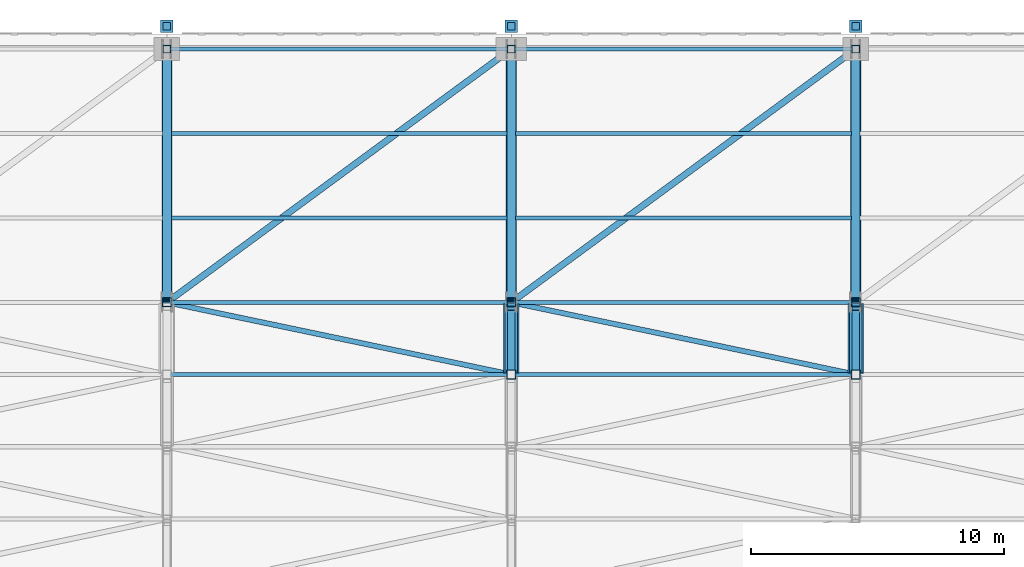
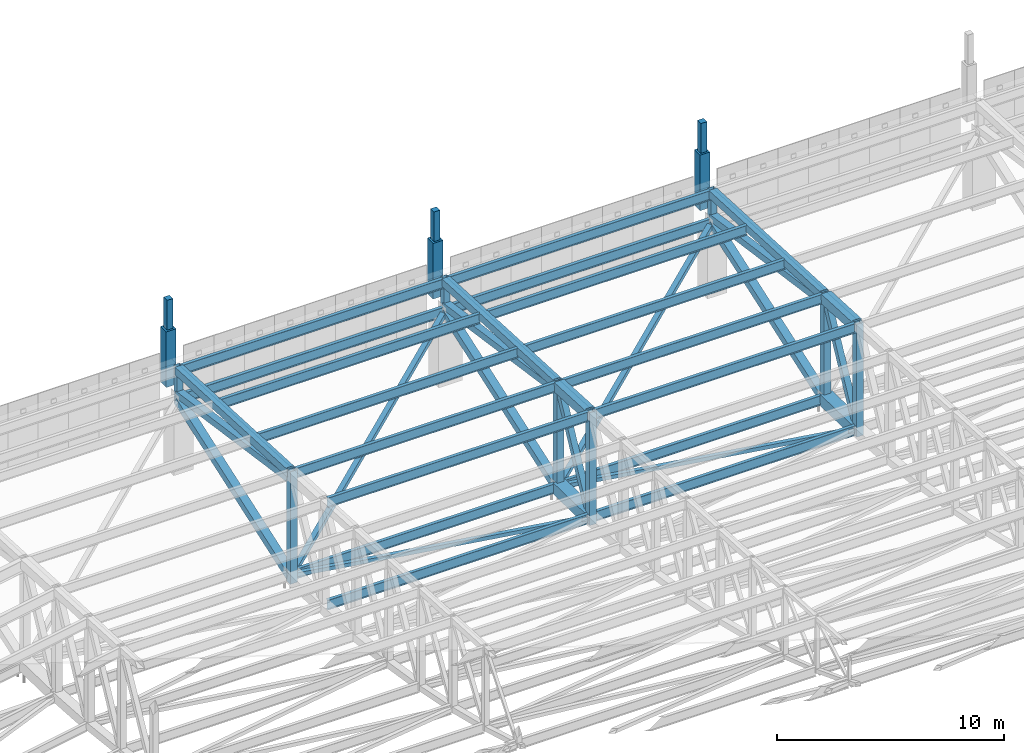
# One storey, part 91 of 278: 31 members, 18 beams.
"""IFC4 building model written with IfcOpenShell, lengths in metres."""

from ifc_helpers import new_model, si_unit, direction, frame, origin, origin_2d, place, context, subcontext, project, spatial, rectangle, hollow_rectangle, i_section, extrude, material, material_profile, profile_set, type_object, element, save


model = new_model("IFC4")

# Units and contexts
model_context = context("Model", 3, precision=1e-05, world=origin(), true_north=direction((0.0, 1.0)))
body_context = subcontext(model_context, "Body", "Model", "MODEL_VIEW")
ifc_project = project(units=[si_unit("LENGTHUNIT", "METRE"), si_unit("AREAUNIT", "SQUARE_METRE"), si_unit("VOLUMEUNIT", "CUBIC_METRE"), si_unit("PLANEANGLEUNIT", "RADIAN"), si_unit("MASSUNIT", "GRAM", prefix="KILO")], contexts=[model_context])

# Site, building, storey
site_placement = place(None, origin())
site = spatial("IfcSite", under=ifc_project, at=site_placement, CompositionType="ELEMENT")
building_placement = place(site_placement, origin())
building = spatial("IfcBuilding", under=site, at=building_placement, Name="Ogive Plaza Stadium", CompositionType="ELEMENT")
storey_placement = place(building_placement, frame((0.0, 0.0, 29.0)))
storey = spatial("IfcBuildingStorey", under=building, at=storey_placement, Name="Roof", CompositionType="ELEMENT", Elevation=29.0)

# Members
ifc_material_1 = material(Name="Concrete C45/55 precast", Category="concrete")
ifc_material_profile_1 = material_profile(ifc_material_1, rectangle(XDim=0.5, YDim=0.5, at=origin_2d()), Name="RC 500x500")
ifc_profile_set_1 = profile_set([ifc_material_profile_1], Name="Concrete C45/55 precast")
member_type_1 = type_object("IfcMemberType", Name="Precast pinnacle 500x500", PredefinedType="POST", material=ifc_profile_set_1)
for number, where, z_axis, x_axis, name in (
    (1, (-20.39990234375, 103.39990234375, 4.0), (0.0, 0.0, 1.0), (-1.0, 0.0, 0.0), "PINNACLE R33"),
    (2, (-6.800048828125, 103.39990234375, 4.0), (0.0, 0.0, 1.0), (-1.0, 0.0, 0.0), "PINNACLE R34"),
    (3, (6.800048828125, 103.39990234375, 4.0), (0.0, 0.0, 1.0), (-1.0, 0.0, 0.0), "PINNACLE R35"),
):
    element("IfcMember", number, at=place(storey_placement, frame(where, z_axis=z_axis, x_axis=x_axis)), inside=storey, type_object=member_type_1, Name=name, PredefinedType="POST", context=body_context, shape_type="SweptSolid", body=[
        extrude(rectangle(XDim=0.5, YDim=0.5, at=origin_2d()), origin(), (0.0, 0.0, 1.0), 3.0),
    ])
ifc_material_2 = material(Name="Concrete C45/55 precast", Category="concrete")
ifc_material_profile_2 = material_profile(ifc_material_2, rectangle(XDim=0.300048828125, YDim=0.300048828125, at=origin_2d()), Name="RC 300x300")
ifc_profile_set_2 = profile_set([ifc_material_profile_2], Name="Concrete C45/55 precast")
member_type_2 = type_object("IfcMemberType", Name="Precast spire 300x300", PredefinedType="MEMBER", material=ifc_profile_set_2)
for number, where, z_axis, x_axis, name in (
    (4, (-20.39990234375, 103.39990234375, 7.0), (0.0, 0.0, 1.0), (-1.0, 0.0, 0.0), "SPIRE R33"),
    (5, (-6.800048828125, 103.39990234375, 7.0), (0.0, 0.0, 1.0), (-1.0, 0.0, 0.0), "SPIRE R34"),
    (6, (6.800048828125, 103.39990234375, 7.0), (0.0, 0.0, 1.0), (-1.0, 0.0, 0.0), "SPIRE R35"),
):
    element("IfcMember", number, at=place(storey_placement, frame(where, z_axis=z_axis, x_axis=x_axis)), inside=storey, type_object=member_type_2, Name=name, PredefinedType="MEMBER", context=body_context, shape_type="SweptSolid", body=[
        extrude(rectangle(XDim=0.300048828125, YDim=0.300048828125, at=origin_2d()), origin(), (0.0, 0.0, 1.0), 1.60009765625),
    ])
ifc_material_3 = material(Name="Steel ASTM A500 Grade C", Category="steel")
ifc_material_profile_3 = material_profile(ifc_material_3, hollow_rectangle(XDim=0.25390625, YDim=0.25390625, WallThickness=0.0087890625, at=origin_2d()), Name="HSS10X10X3/8")
ifc_profile_set_3 = profile_set([ifc_material_profile_3], Name="Steel ASTM A500 Grade C")
member_type_3 = type_object("IfcMemberType", Name="Roof plan brace HSS10X10X3/8", PredefinedType="BRACE", material=ifc_profile_set_3)
member_1_placement = place(storey_placement, frame((-20.171142578125, 92.668212890625, 0.362060546875), z_axis=(0.789806515967, 0.580738793181, 0.197352784197), x_axis=(-0.592389594991, 0.805651641683, 0.0)))
element("IfcMember", 7, at=member_1_placement, inside=storey, type_object=member_type_3, Name="ROOF BRACE B33 11", PredefinedType="BRACE", context=body_context, shape_type="SweptSolid", body=[
    extrude(hollow_rectangle(XDim=0.25390625, YDim=0.25390625, WallThickness=0.0087890625, at=origin_2d()), origin(), (0.0, 0.0, 1.0), 16.672119140625),
])
member_2_placement = place(storey_placement, frame((-6.571044921875, 92.668212890625, 0.362060546875), z_axis=(0.789801006839, 0.580745509868, 0.197355066733), x_axis=(-0.592396724098, 0.805646399655, 0.0)))
element("IfcMember", 8, at=member_2_placement, inside=storey, type_object=member_type_3, Name="ROOF BRACE B34 11", PredefinedType="BRACE", context=body_context, shape_type="SweptSolid", body=[
    extrude(hollow_rectangle(XDim=0.25390625, YDim=0.25390625, WallThickness=0.0087890625, at=origin_2d()), origin(), (0.0, 0.0, 1.0), 16.671875),
])
ifc_material_4 = material(Name="Steel ASTM A500 Grade C", Category="steel")
ifc_material_profile_4 = material_profile(ifc_material_4, hollow_rectangle(XDim=0.203125, YDim=0.203125, WallThickness=0.0087890625, at=origin_2d()), Name="HSS8X8X3/8")
ifc_profile_set_4 = profile_set([ifc_material_profile_4], Name="Steel ASTM A500 Grade C")
member_type_4 = type_object("IfcMemberType", Name="Roof plan brace HSS8X8X3/8", PredefinedType="BRACE", material=ifc_profile_set_4)
member_3_placement = place(storey_placement, frame((-6.96923828125, 89.685546875, 0.3681640625), z_axis=(-0.978729937555, 0.205101030564, -0.004612656051), x_axis=(-0.205103212524, -0.978740349742, 0.0)))
element("IfcMember", 9, at=member_3_placement, inside=storey, type_object=member_type_4, Name="ROOF BRACE B33 10", PredefinedType="BRACE", context=body_context, shape_type="SweptSolid", body=[
    extrude(hollow_rectangle(XDim=0.203125, YDim=0.203125, WallThickness=0.0087890625, at=origin_2d()), origin(), (0.0, 0.0, 1.0), 13.549560546875),
])
member_4_placement = place(storey_placement, frame((6.630615234375, 89.685546875, 0.3681640625), z_axis=(-0.97872917919, 0.20510464757, -0.004612737396), x_axis=(-0.205106829646, -0.978739591736, 0.0)))
element("IfcMember", 10, at=member_4_placement, inside=storey, type_object=member_type_4, Name="ROOF BRACE B34 10", PredefinedType="BRACE", context=body_context, shape_type="SweptSolid", body=[
    extrude(hollow_rectangle(XDim=0.203125, YDim=0.203125, WallThickness=0.0087890625, at=origin_2d()), origin(), (0.0, 0.0, 1.0), 13.54931640625),
])
ifc_material_5 = material(Name="Steel ASTM A992 Grade 50", Category="steel")
ifc_material_profile_5 = material_profile(ifc_material_5, i_section(OverallWidth=0.1650390625, OverallDepth=0.524658203125, WebThickness=0.0087890625, FlangeThickness=0.011474609375, at=origin_2d()), Name="W21X44")
ifc_profile_set_5 = profile_set([ifc_material_profile_5], Name="Steel ASTM A992 Grade 50")
member_type_5 = type_object("IfcMemberType", Name="Roof plan strut W21X44", PredefinedType="STRUT", material=ifc_profile_set_5)
for number, where, z_axis, x_axis, name in (
    (11, (-20.252197265625, 89.64990234375, 0.369140625), (1.0, 0.0, 0.0), (0.0, 1.0, 0.0), "ROOF STRUT B33 9"),
    (12, (-20.252197265625, 92.5, 0.3046875), (1.0, 0.0, 0.0), (0.0, 1.0, 0.0), "ROOF STRUT B33 10"),
):
    element("IfcMember", number, at=place(storey_placement, frame(where, z_axis=z_axis, x_axis=x_axis)), inside=storey, type_object=member_type_5, Name=name, PredefinedType="STRUT", context=body_context, shape_type="SweptSolid", body=[
        extrude(i_section(OverallWidth=0.1650390625, OverallDepth=0.524658203125, WebThickness=0.0087890625, FlangeThickness=0.011474609375, at=origin_2d()), origin(), (0.0, 0.0, 1.0), 13.304443359375),
    ])
member_5_placement = place(storey_placement, frame((-20.277587890625, 102.5, 3.703125), z_axis=(1.0, 0.0, 0.0), x_axis=(0.0, 1.0, 0.0)))
element("IfcMember", 13, at=member_5_placement, inside=storey, type_object=member_type_5, Name="ROOF STRUT B33 11", PredefinedType="STRUT", context=body_context, shape_type="SweptSolid", body=[
    extrude(i_section(OverallWidth=0.1650390625, OverallDepth=0.524658203125, WebThickness=0.0087890625, FlangeThickness=0.011474609375, at=origin_2d()), origin(), (0.0, 0.0, 1.0), 13.355224609375),
])
for number, where, z_axis, x_axis, name in (
    (14, (-6.652099609375, 89.64990234375, 0.369140625), (1.0, 0.0, 0.0), (0.0, 1.0, 0.0), "ROOF STRUT B34 9"),
    (15, (-6.652099609375, 92.5, 0.3046875), (1.0, 0.0, 0.0), (0.0, 1.0, 0.0), "ROOF STRUT B34 10"),
):
    element("IfcMember", number, at=place(storey_placement, frame(where, z_axis=z_axis, x_axis=x_axis)), inside=storey, type_object=member_type_5, Name=name, PredefinedType="STRUT", context=body_context, shape_type="SweptSolid", body=[
        extrude(i_section(OverallWidth=0.1650390625, OverallDepth=0.524658203125, WebThickness=0.0087890625, FlangeThickness=0.011474609375, at=origin_2d()), origin(), (0.0, 0.0, 1.0), 13.30419921875),
    ])
member_6_placement = place(storey_placement, frame((-6.677490234375, 102.5, 3.703125), z_axis=(1.0, 0.0, 0.0), x_axis=(0.0, 1.0, 0.0)))
element("IfcMember", 16, at=member_6_placement, inside=storey, type_object=member_type_5, Name="ROOF STRUT B34 11", PredefinedType="STRUT", context=body_context, shape_type="SweptSolid", body=[
    extrude(i_section(OverallWidth=0.1650390625, OverallDepth=0.524658203125, WebThickness=0.0087890625, FlangeThickness=0.011474609375, at=origin_2d()), origin(), (0.0, 0.0, 1.0), 13.35498046875),
])
ifc_material_6 = material(Name="Steel ASTM A992 Grade 50", Category="steel")
ifc_material_profile_6 = material_profile(ifc_material_6, i_section(OverallWidth=0.1650390625, OverallDepth=0.524658203125, WebThickness=0.0087890625, FlangeThickness=0.011474609375, at=origin_2d()), Name="W21X44")
ifc_profile_set_6 = profile_set([ifc_material_profile_6], Name="Steel ASTM A992 Grade 50")
member_type_6 = type_object("IfcMemberType", Name="Roof purlin W21X44", PredefinedType="PURLIN", material=ifc_profile_set_6)
for number, where, z_axis, x_axis, name in (
    (17, (-20.252197265625, 89.64990234375, 5.880126953125), (1.0, 0.0, 0.0), (0.0, 1.0, 0.0), "ROOF PURLIN B33 9"),
    (18, (-20.252197265625, 92.5, 5.737548828125), (1.0, 0.0, 0.0), (0.0, 1.0, 0.0), "ROOF PURLIN B33 10"),
):
    element("IfcMember", number, at=place(storey_placement, frame(where, z_axis=z_axis, x_axis=x_axis)), inside=storey, type_object=member_type_6, Name=name, PredefinedType="PURLIN", context=body_context, shape_type="SweptSolid", body=[
        extrude(i_section(OverallWidth=0.1650390625, OverallDepth=0.524658203125, WebThickness=0.0087890625, FlangeThickness=0.011474609375, at=origin_2d()), origin(), (0.0, 0.0, 1.0), 13.304443359375),
    ])
for number, where, z_axis, x_axis, name in (
    (19, (-20.226806640625, 95.833251953125, 5.571044921875), (1.0, 0.0, 0.0), (0.0, 1.0, 0.0), "ROOF PURLIN B33 11"),
    (20, (-20.226806640625, 99.166748046875, 5.404296875), (1.0, 0.0, 0.0), (0.0, 1.0, 0.0), "ROOF PURLIN B33 12"),
):
    element("IfcMember", number, at=place(storey_placement, frame(where, z_axis=z_axis, x_axis=x_axis)), inside=storey, type_object=member_type_6, Name=name, PredefinedType="PURLIN", context=body_context, shape_type="SweptSolid", body=[
        extrude(i_section(OverallWidth=0.1650390625, OverallDepth=0.524658203125, WebThickness=0.0087890625, FlangeThickness=0.011474609375, at=origin_2d()), origin(), (0.0, 0.0, 1.0), 13.253662109375),
    ])
member_7_placement = place(storey_placement, frame((-20.277587890625, 102.5, 5.237548828125), z_axis=(1.0, 0.0, 0.0), x_axis=(0.0, 1.0, 0.0)))
element("IfcMember", 21, at=member_7_placement, inside=storey, type_object=member_type_6, Name="ROOF PURLIN B33 13", PredefinedType="PURLIN", context=body_context, shape_type="SweptSolid", body=[
    extrude(i_section(OverallWidth=0.1650390625, OverallDepth=0.524658203125, WebThickness=0.0087890625, FlangeThickness=0.011474609375, at=origin_2d()), origin(), (0.0, 0.0, 1.0), 13.355224609375),
])
for number, where, z_axis, x_axis, name in (
    (22, (-6.652099609375, 89.64990234375, 5.880126953125), (1.0, 0.0, 0.0), (0.0, 1.0, 0.0), "ROOF PURLIN B34 9"),
    (23, (-6.652099609375, 92.5, 5.737548828125), (1.0, 0.0, 0.0), (0.0, 1.0, 0.0), "ROOF PURLIN B34 10"),
):
    element("IfcMember", number, at=place(storey_placement, frame(where, z_axis=z_axis, x_axis=x_axis)), inside=storey, type_object=member_type_6, Name=name, PredefinedType="PURLIN", context=body_context, shape_type="SweptSolid", body=[
        extrude(i_section(OverallWidth=0.1650390625, OverallDepth=0.524658203125, WebThickness=0.0087890625, FlangeThickness=0.011474609375, at=origin_2d()), origin(), (0.0, 0.0, 1.0), 13.30419921875),
    ])
for number, where, z_axis, x_axis, name in (
    (24, (-6.626708984375, 95.833251953125, 5.571044921875), (1.0, 0.0, 0.0), (0.0, 1.0, 0.0), "ROOF PURLIN B34 11"),
    (25, (-6.626708984375, 99.166748046875, 5.404296875), (1.0, 0.0, 0.0), (0.0, 1.0, 0.0), "ROOF PURLIN B34 12"),
):
    element("IfcMember", number, at=place(storey_placement, frame(where, z_axis=z_axis, x_axis=x_axis)), inside=storey, type_object=member_type_6, Name=name, PredefinedType="PURLIN", context=body_context, shape_type="SweptSolid", body=[
        extrude(i_section(OverallWidth=0.1650390625, OverallDepth=0.524658203125, WebThickness=0.0087890625, FlangeThickness=0.011474609375, at=origin_2d()), origin(), (0.0, 0.0, 1.0), 13.25341796875),
    ])
member_8_placement = place(storey_placement, frame((-6.677490234375, 102.5, 5.237548828125), z_axis=(1.0, 0.0, 0.0), x_axis=(0.0, 1.0, 0.0)))
element("IfcMember", 26, at=member_8_placement, inside=storey, type_object=member_type_6, Name="ROOF PURLIN B34 13", PredefinedType="PURLIN", context=body_context, shape_type="SweptSolid", body=[
    extrude(i_section(OverallWidth=0.1650390625, OverallDepth=0.524658203125, WebThickness=0.0087890625, FlangeThickness=0.011474609375, at=origin_2d()), origin(), (0.0, 0.0, 1.0), 13.35498046875),
])

# Beams
ifc_material_7 = material(Name="Steel ASTM A500 Grade C", Category="steel")
ifc_material_profile_7 = material_profile(ifc_material_7, hollow_rectangle(XDim=0.406494140625, YDim=0.406494140625, WallThickness=0.0146484375, at=origin_2d()), Name="HSS16X16X5/8")
ifc_profile_set_7 = profile_set([ifc_material_profile_7], Name="Steel ASTM A500 Grade C")
beam_type_1 = type_object("IfcBeamType", Name="Roof truss back-span bottom chord HSS16X16X5/8", PredefinedType="BEAM", material=ifc_profile_set_7)
for number, where, z_axis, x_axis, name in (
    (27, (-20.39990234375, 92.550048828125, 0.232666015625), (0.0, 0.943851085966, 0.330371196567), (-1.0, 0.0, 0.0), "ROOF TRUSS T33 BOTTOM CHORD 11"),
    (28, (-6.800048828125, 92.550048828125, 0.232666015625), (0.0, 0.943851085966, 0.330371196567), (-1.0, 0.0, 0.0), "ROOF TRUSS T34 BOTTOM CHORD 11"),
    (29, (6.800048828125, 92.550048828125, 0.232666015625), (0.0, 0.943851085966, 0.330371196567), (-1.0, 0.0, 0.0), "ROOF TRUSS T35 BOTTOM CHORD 11"),
):
    element("IfcBeam", number, at=place(storey_placement, frame(where, z_axis=z_axis, x_axis=x_axis)), inside=storey, type_object=beam_type_1, Name=name, PredefinedType="BEAM", context=body_context, shape_type="SweptSolid", body=[
        extrude(hollow_rectangle(XDim=0.406494140625, YDim=0.406494140625, WallThickness=0.0146484375, at=origin_2d()), origin(), (0.0, 0.0, 1.0), 10.470703125),
    ])
ifc_material_8 = material(Name="Steel ASTM A500 Grade C", Category="steel")
ifc_material_profile_8 = material_profile(ifc_material_8, hollow_rectangle(XDim=0.406494140625, YDim=0.406494140625, WallThickness=0.0146484375, at=origin_2d()), Name="HSS16X16X5/8")
ifc_profile_set_8 = profile_set([ifc_material_profile_8], Name="Steel ASTM A500 Grade C")
beam_type_2 = type_object("IfcBeamType", Name="Roof truss back-span top chord HSS16X16X5/8", PredefinedType="BEAM", material=ifc_profile_set_8)
for number, where, z_axis, x_axis, name in (
    (30, (-20.39990234375, 92.550048828125, 5.7939453125), (0.0, 0.998752953021, -0.049925332571), (-1.0, 0.0, 0.0), "ROOF TRUSS T33 TOP CHORD 11"),
    (31, (-6.800048828125, 92.550048828125, 5.7939453125), (0.0, 0.998752953021, -0.049925332571), (-1.0, 0.0, 0.0), "ROOF TRUSS T34 TOP CHORD 11"),
    (32, (6.800048828125, 92.550048828125, 5.7939453125), (0.0, 0.998752953021, -0.049925332571), (-1.0, 0.0, 0.0), "ROOF TRUSS T35 TOP CHORD 11"),
):
    element("IfcBeam", number, at=place(storey_placement, frame(where, z_axis=z_axis, x_axis=x_axis)), inside=storey, type_object=beam_type_2, Name=name, PredefinedType="BEAM", context=body_context, shape_type="SweptSolid", body=[
        extrude(hollow_rectangle(XDim=0.406494140625, YDim=0.406494140625, WallThickness=0.0146484375, at=origin_2d()), origin(), (0.0, 0.0, 1.0), 9.912353515625),
    ])

# Members
ifc_material_9 = material(Name="Steel ASTM A500 Grade C", Category="steel")
ifc_material_profile_9 = material_profile(ifc_material_9, hollow_rectangle(XDim=0.355712890625, YDim=0.355712890625, WallThickness=0.0146484375, at=origin_2d()), Name="HSS14X14X5/8")
ifc_profile_set_9 = profile_set([ifc_material_profile_9], Name="Steel ASTM A500 Grade C")
member_type_7 = type_object("IfcMemberType", Name="Roof truss back-stay HSS14X14X5/8", PredefinedType="BRACE", material=ifc_profile_set_9)
for number, where, z_axis, x_axis, name in (
    (33, (-20.39990234375, 92.593017578125, 5.45654296875), (0.0, 0.989844100519, -0.142157154826), (-1.0, 0.0, 0.0), "BACK-STAY T33"),
    (34, (-6.800048828125, 92.593017578125, 5.45654296875), (0.0, 0.989844100519, -0.142157154826), (-1.0, 0.0, 0.0), "BACK-STAY T34"),
    (35, (6.800048828125, 92.593017578125, 5.45654296875), (0.0, 0.989844100519, -0.142157154826), (-1.0, 0.0, 0.0), "BACK-STAY T35"),
):
    element("IfcMember", number, at=place(storey_placement, frame(where, z_axis=z_axis, x_axis=x_axis)), inside=storey, type_object=member_type_7, Name=name, PredefinedType="BRACE", context=body_context, shape_type="SweptSolid", body=[
        extrude(hollow_rectangle(XDim=0.355712890625, YDim=0.355712890625, WallThickness=0.0146484375, at=origin_2d()), origin(), (0.0, 0.0, 1.0), 9.9404296875),
    ])

# Beams
ifc_material_10 = material(Name="Steel ASTM A500 Grade C", Category="steel")
ifc_material_profile_10 = material_profile(ifc_material_10, hollow_rectangle(XDim=0.609619140625, YDim=0.609619140625, WallThickness=0.0146484375, at=origin_2d()), Name="HSS24X24X5/8")
ifc_profile_set_10 = profile_set([ifc_material_profile_10], Name="Steel ASTM A500 Grade C")
beam_type_3 = type_object("IfcBeamType", Name="Roof truss bottom chord HSS24X24X5/8", PredefinedType="BEAM", material=ifc_profile_set_10)
for number, where, z_axis, x_axis, name in (
    (36, (-6.800048828125, 89.699951171875, 0.367919921875), (0.0, 0.999745852076, -0.022543984946), (-1.0, 0.0, 0.0), "ROOF TRUSS T34 BOTTOM CHORD 10"),
    (37, (6.800048828125, 89.699951171875, 0.367919921875), (0.0, 0.999745852076, -0.022543984946), (-1.0, 0.0, 0.0), "ROOF TRUSS T35 BOTTOM CHORD 10"),
):
    element("IfcBeam", number, at=place(storey_placement, frame(where, z_axis=z_axis, x_axis=x_axis)), inside=storey, type_object=beam_type_3, Name=name, PredefinedType="BEAM", context=body_context, shape_type="SweptSolid", body=[
        extrude(hollow_rectangle(XDim=0.609619140625, YDim=0.609619140625, WallThickness=0.0146484375, at=origin_2d()), origin(), (0.0, 0.0, 1.0), 2.750732421875),
    ])

# Members
ifc_material_11 = material(Name="Steel ASTM A500 Grade C", Category="steel")
ifc_material_profile_11 = material_profile(ifc_material_11, hollow_rectangle(XDim=0.3046875, YDim=0.3046875, WallThickness=0.0087890625, at=origin_2d()), Name="HSS12X12X3/8")
ifc_profile_set_11 = profile_set([ifc_material_profile_11], Name="Steel ASTM A500 Grade C")
member_type_8 = type_object("IfcMemberType", Name="Roof truss diagonal HSS12X12X3/8", PredefinedType="BRACE", material=ifc_profile_set_11)
for number, where, z_axis, x_axis, name in (
    (38, (-6.800048828125, 89.827880859375, 0.673828125), (0.0, 0.459750963822, 0.888047887934), (-1.0, 0.0, 0.0), "ROOF TRUSS T34 DIAGONAL 10"),
    (39, (6.800048828125, 89.827880859375, 0.673828125), (0.0, 0.459750963822, 0.888047887934), (-1.0, 0.0, 0.0), "ROOF TRUSS T35 DIAGONAL 10"),
):
    element("IfcMember", number, at=place(storey_placement, frame(where, z_axis=z_axis, x_axis=x_axis)), inside=storey, type_object=member_type_8, Name=name, PredefinedType="BRACE", context=body_context, shape_type="SweptSolid", body=[
        extrude(hollow_rectangle(XDim=0.3046875, YDim=0.3046875, WallThickness=0.0087890625, at=origin_2d()), origin(), (0.0, 0.0, 1.0), 5.425537109375),
    ])

# Beams
ifc_material_12 = material(Name="Steel ASTM A500 Grade C", Category="steel")
ifc_material_profile_12 = material_profile(ifc_material_12, hollow_rectangle(XDim=0.3046875, YDim=0.3046875, WallThickness=0.01171875, at=origin_2d()), Name="HSS12X12X1/2")
ifc_profile_set_12 = profile_set([ifc_material_profile_12], Name="Steel ASTM A500 Grade C")
beam_type_4 = type_object("IfcBeamType", Name="Roof truss post HSS12X12X1/2", PredefinedType="BEAM", material=ifc_profile_set_12)
for number, where, z_axis, x_axis, name in (
    (40, (-20.39990234375, 102.5, 3.43994140625), (0.0, 0.0, 1.0), (-1.0, 0.0, 0.0), "ROOF TRUSS T33 POST 12"),
    (41, (-6.800048828125, 102.5, 3.43994140625), (0.0, 0.0, 1.0), (-1.0, 0.0, 0.0), "ROOF TRUSS T34 POST 12"),
    (42, (6.800048828125, 102.5, 3.43994140625), (0.0, 0.0, 1.0), (-1.0, 0.0, 0.0), "ROOF TRUSS T35 POST 12"),
):
    element("IfcBeam", number, at=place(storey_placement, frame(where, z_axis=z_axis, x_axis=x_axis)), inside=storey, type_object=beam_type_4, Name=name, PredefinedType="BEAM", context=body_context, shape_type="SweptSolid", body=[
        extrude(hollow_rectangle(XDim=0.3046875, YDim=0.3046875, WallThickness=0.01171875, at=origin_2d()), origin(), (0.0, 0.0, 1.0), 2.06005859375),
    ])
ifc_material_13 = material(Name="Steel ASTM A500 Grade C", Category="steel")
ifc_material_profile_13 = material_profile(ifc_material_13, hollow_rectangle(XDim=0.355712890625, YDim=0.355712890625, WallThickness=0.0146484375, at=origin_2d()), Name="HSS14X14X5/8")
ifc_profile_set_13 = profile_set([ifc_material_profile_13], Name="Steel ASTM A500 Grade C")
beam_type_5 = type_object("IfcBeamType", Name="Roof truss post HSS14X14X5/8", PredefinedType="BEAM", material=ifc_profile_set_13)
beam_1_placement = place(storey_placement, frame((-20.39990234375, 92.5, -0.06005859375), z_axis=(0.0, 0.0, 1.0), x_axis=(-1.0, 0.0, 0.0)))
element("IfcBeam", 43, at=beam_1_placement, inside=storey, type_object=beam_type_5, Name="ROOF TRUSS T33 POST 11", PredefinedType="BEAM", context=body_context, shape_type="SweptSolid", body=[
    extrude(hollow_rectangle(XDim=0.355712890625, YDim=0.355712890625, WallThickness=0.0146484375, at=origin_2d()), origin(), (0.0, 0.0, 1.0), 6.06005859375),
])
beam_2_placement = place(storey_placement, frame((-6.800048828125, 89.64990234375, 0.064208984375), z_axis=(0.0, 0.0, 1.0), x_axis=(-1.0, 0.0, 0.0)))
element("IfcBeam", 44, at=beam_2_placement, inside=storey, type_object=beam_type_5, Name="ROOF TRUSS T34 POST 10", PredefinedType="BEAM", context=body_context, shape_type="SweptSolid", body=[
    extrude(hollow_rectangle(XDim=0.355712890625, YDim=0.355712890625, WallThickness=0.0146484375, at=origin_2d()), origin(), (0.0, 0.0, 1.0), 6.078369140625),
])
beam_3_placement = place(storey_placement, frame((-6.800048828125, 92.5, -0.06005859375), z_axis=(0.0, 0.0, 1.0), x_axis=(-1.0, 0.0, 0.0)))
element("IfcBeam", 45, at=beam_3_placement, inside=storey, type_object=beam_type_5, Name="ROOF TRUSS T34 POST 11", PredefinedType="BEAM", context=body_context, shape_type="SweptSolid", body=[
    extrude(hollow_rectangle(XDim=0.355712890625, YDim=0.355712890625, WallThickness=0.0146484375, at=origin_2d()), origin(), (0.0, 0.0, 1.0), 6.06005859375),
])
beam_4_placement = place(storey_placement, frame((6.800048828125, 89.64990234375, 0.064208984375), z_axis=(0.0, 0.0, 1.0), x_axis=(-1.0, 0.0, 0.0)))
element("IfcBeam", 46, at=beam_4_placement, inside=storey, type_object=beam_type_5, Name="ROOF TRUSS T35 POST 10", PredefinedType="BEAM", context=body_context, shape_type="SweptSolid", body=[
    extrude(hollow_rectangle(XDim=0.355712890625, YDim=0.355712890625, WallThickness=0.0146484375, at=origin_2d()), origin(), (0.0, 0.0, 1.0), 6.078369140625),
])
beam_5_placement = place(storey_placement, frame((6.800048828125, 92.5, -0.06005859375), z_axis=(0.0, 0.0, 1.0), x_axis=(-1.0, 0.0, 0.0)))
element("IfcBeam", 47, at=beam_5_placement, inside=storey, type_object=beam_type_5, Name="ROOF TRUSS T35 POST 11", PredefinedType="BEAM", context=body_context, shape_type="SweptSolid", body=[
    extrude(hollow_rectangle(XDim=0.355712890625, YDim=0.355712890625, WallThickness=0.0146484375, at=origin_2d()), origin(), (0.0, 0.0, 1.0), 6.06005859375),
])
ifc_material_14 = material(Name="Steel ASTM A500 Grade C", Category="steel")
ifc_material_profile_14 = material_profile(ifc_material_14, hollow_rectangle(XDim=0.508056640625, YDim=0.508056640625, WallThickness=0.0146484375, at=origin_2d()), Name="HSS20X20X5/8")
ifc_profile_set_14 = profile_set([ifc_material_profile_14], Name="Steel ASTM A500 Grade C")
beam_type_6 = type_object("IfcBeamType", Name="Roof truss top chord HSS20X20X5/8", PredefinedType="BEAM", material=ifc_profile_set_14)
for number, where, z_axis, x_axis, name in (
    (48, (-6.800048828125, 89.699951171875, 5.8857421875), (0.0, 0.998753223187, -0.049919927615), (-1.0, 0.0, 0.0), "ROOF TRUSS T34 TOP CHORD 10"),
    (49, (6.800048828125, 89.699951171875, 5.8857421875), (0.0, 0.998753223187, -0.049919927615), (-1.0, 0.0, 0.0), "ROOF TRUSS T35 TOP CHORD 10"),
):
    element("IfcBeam", number, at=place(storey_placement, frame(where, z_axis=z_axis, x_axis=x_axis)), inside=storey, type_object=beam_type_6, Name=name, PredefinedType="BEAM", context=body_context, shape_type="SweptSolid", body=[
        extrude(hollow_rectangle(XDim=0.508056640625, YDim=0.508056640625, WallThickness=0.0146484375, at=origin_2d()), origin(), (0.0, 0.0, 1.0), 2.75341796875),
    ])

save(model, "model.ifc")
